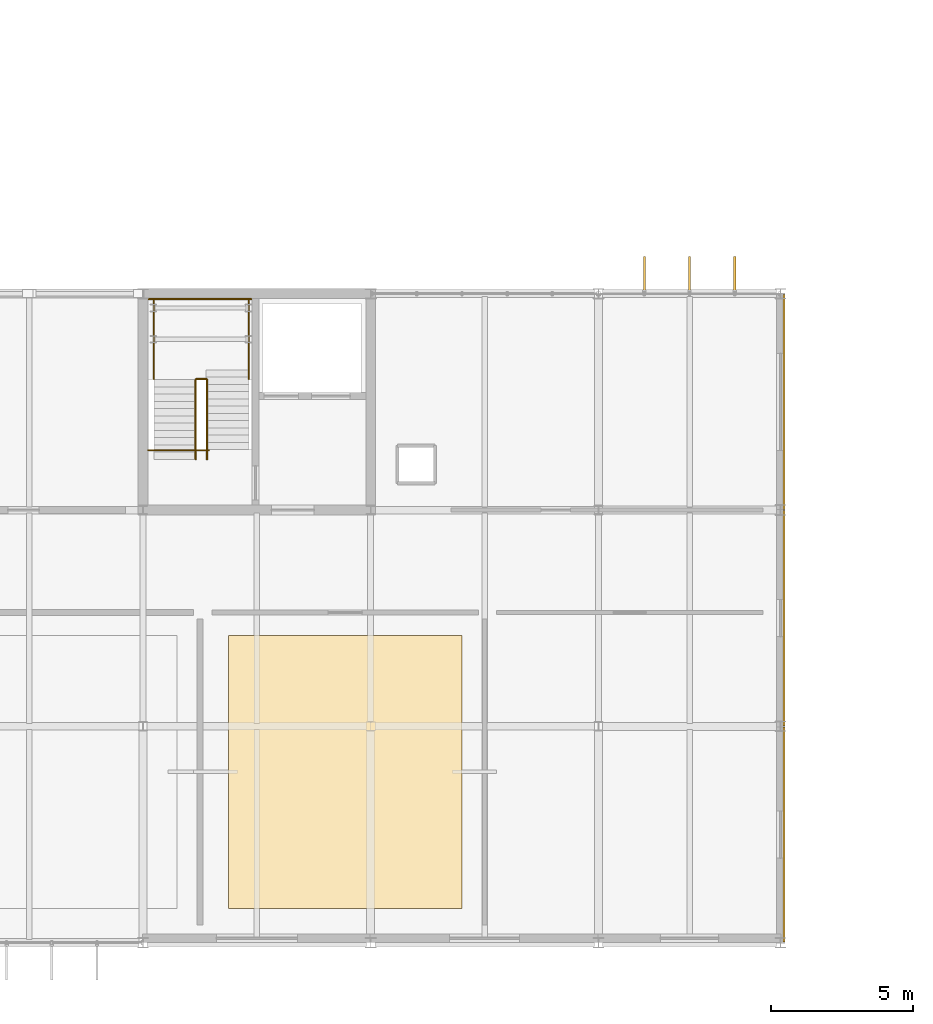
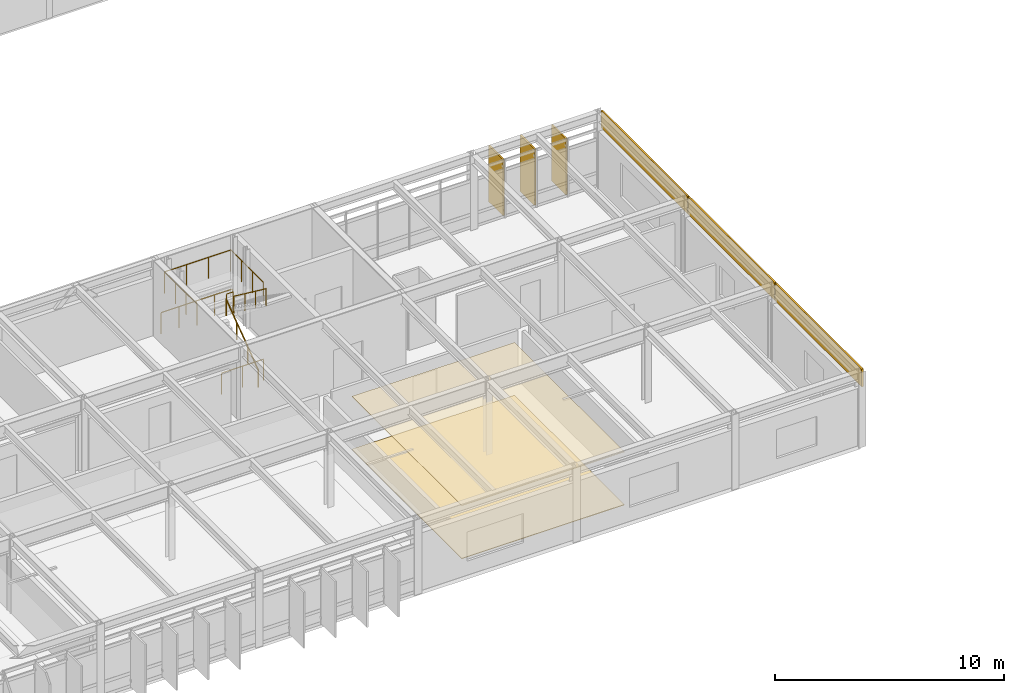
# One storey, part 31 of 33: 6 railings, 5 coverings, 3 shading devices.
"""IFC4 building model written with IfcOpenShell, lengths in metres."""

from ifc_helpers import new_model, si_unit, direction, frame, origin, origin_2d, place, context, subcontext, project, spatial, polyline, rectangle, circle, outline, extrude, material, layer, layer_set, type_object, element, save


model = new_model("IFC4")

# Units and contexts
model_context = context("Model", 3, precision=1e-05, world=origin(), true_north=direction((0.0, 1.0)))
body_context = subcontext(model_context, "Body", "Model", "MODEL_VIEW")
ifc_project = project(units=[si_unit("LENGTHUNIT", "METRE"), si_unit("AREAUNIT", "SQUARE_METRE"), si_unit("VOLUMEUNIT", "CUBIC_METRE"), si_unit("PLANEANGLEUNIT", "RADIAN"), si_unit("MASSUNIT", "GRAM", prefix="KILO")], contexts=[model_context])

# Site, building, storey
site_placement = place(None, origin())
site = spatial("IfcSite", under=ifc_project, at=site_placement, CompositionType="ELEMENT")
building_placement = place(site_placement, origin())
building = spatial("IfcBuilding", under=site, at=building_placement, Name="Zulena Civic Courthouse", CompositionType="ELEMENT")
storey_placement = place(building_placement, frame((0.0, 0.0, 33.60009765625)))
storey = spatial("IfcBuildingStorey", under=building, at=storey_placement, Name="L07", CompositionType="ELEMENT", Elevation=33.60009765625)

# Covering
ifc_material_1 = material(Name="Perforated acoustic mineral-fibre ceiling tile", Category="concrete")
ifc_layer_1 = layer(ifc_material_1, 0.02490234375)
ifc_layer_set_1 = layer_set([ifc_layer_1], Name="Perforated acoustic mineral-fibre ceiling tile")
covering_type_1 = type_object("IfcCoveringType", Name="AcousticCeiling_25", PredefinedType="CEILING", material=ifc_layer_set_1)
covering_1_placement = place(storey_placement, frame((0.0, 0.0, 2.81982421875)))
element("IfcCovering", 1, at=covering_1_placement, inside=storey, type_object=covering_type_1, Name="ceil:L07:351", PredefinedType="CEILING", context=body_context, shape_type="SweptSolid", body=[
    extrude(outline(polyline([(47.0, 1.199951171875), (55.199951171875, 1.199951171875), (55.199951171875, 10.800048828125), (47.0, 10.800048828125), (47.0, 1.199951171875)])), origin(), (0.0, 0.0, 1.0), 0.025146484375),
])

# Shading devices
ifc_material_2 = material(Name="Gold anodised architectural aluminium AA6063-T6", Category="aluminium")
shading_device_type = type_object("IfcShadingDeviceType", Name="GoldSolarFin_300", PredefinedType="USERDEFINED", material=ifc_material_2)
for number, where, z_axis, x_axis, name in (
    (2, (61.614990234375, 23.485107421875, 0.0498046875), (0.0, 0.0, 1.0), (0.0, 1.0, 0.0), "fin:V2:L07:1:6:1"),
    (3, (63.199951171875, 23.485107421875, 0.0498046875), (0.0, 0.0, 1.0), (0.0, 1.0, 0.0), "fin:V2:L07:1:6:2"),
    (4, (64.784912109375, 23.485107421875, 0.0498046875), (0.0, 0.0, 1.0), (0.0, 1.0, 0.0), "fin:V2:L07:1:6:3"),
):
    element("IfcShadingDevice", number, at=place(storey_placement, frame(where, z_axis=z_axis, x_axis=x_axis)), inside=storey, type_object=shading_device_type, Name=name, ObjectType="FIN", PredefinedType="USERDEFINED", context=body_context, shape_type="SweptSolid", body=[
        extrude(rectangle(XDim=1.25, YDim=0.080078125, at=origin_2d()), origin(), (0.0, 0.0, 1.0), 2.989990234375),
    ])

# Railings
ifc_material_3 = material(Name="Brushed architectural steel ASTM A36", Category="steel")
railing_type_1 = type_object("IfcRailingType", Name="InteriorGuardrail_1150", PredefinedType="GUARDRAIL", material=ifc_material_3)
railing_1_placement = place(storey_placement, frame((44.199951171875, 22.610107421875, 0.0)))
element("IfcRailing", 5, at=railing_1_placement, inside=storey, type_object=railing_type_1, Name="gr:wellN:K2B:L06", PredefinedType="GUARDRAIL", context=body_context, shape_type="SweptSolid", body=[
    extrude(circle(Radius=0.02392578125, at=origin_2d()), frame((0.00390625, 0.0, 1.1259765625), z_axis=(1.0, 0.0, 0.0), x_axis=(0.0, 1.0, 0.0)), (0.0, 0.0, 1.0), 3.592041015625),
    extrude(circle(Radius=0.02099609375, at=origin_2d()), origin(), (0.0, 0.0, 1.0), 1.097900390625),
    extrude(circle(Radius=0.02099609375, at=origin_2d()), frame((0.89990234375, 0.0, 0.0)), (0.0, 0.0, 1.0), 1.097900390625),
    extrude(circle(Radius=0.02099609375, at=origin_2d()), frame((1.800048828125, 0.0, 0.0)), (0.0, 0.0, 1.0), 1.097900390625),
    extrude(circle(Radius=0.02099609375, at=origin_2d()), frame((2.7001953125, 0.0, 0.0)), (0.0, 0.0, 1.0), 1.097900390625),
    extrude(circle(Radius=0.02099609375, at=origin_2d()), frame((3.60009765625, 0.0, 0.0)), (0.0, 0.0, 1.0), 1.097900390625),
])
railing_2_placement = place(storey_placement, frame((44.179931640625, 17.300048828125, 0.0)))
element("IfcRailing", 6, at=railing_2_placement, inside=storey, type_object=railing_type_1, Name="gr:wells:K2B:L07", PredefinedType="GUARDRAIL", context=body_context, shape_type="SweptSolid", body=[
    extrude(circle(Radius=0.02392578125, at=origin_2d()), frame((0.00390625, 0.0, 1.1259765625), z_axis=(1.0, 0.0, 0.0), x_axis=(0.0, 1.0, 0.0)), (0.0, 0.0, 1.0), 2.112060546875),
    extrude(circle(Radius=0.02099609375, at=origin_2d()), origin(), (0.0, 0.0, 1.0), 1.097900390625),
    extrude(circle(Radius=0.02099609375, at=origin_2d()), frame((1.06005859375, 0.0, 0.0)), (0.0, 0.0, 1.0), 1.097900390625),
    extrude(circle(Radius=0.02099609375, at=origin_2d()), frame((2.1201171875, 0.0, 0.0)), (0.0, 0.0, 1.0), 1.097900390625),
])
railing_3_placement = place(storey_placement, frame((44.3798828125, 19.78466796875, 2.099853515625)))
element("IfcRailing", 7, at=railing_3_placement, inside=storey, type_object=railing_type_1, Name="gr:lnd:K2B:L07", PredefinedType="GUARDRAIL", context=body_context, shape_type="SweptSolid", body=[
    extrude(circle(Radius=0.02392578125, at=origin_2d()), frame((0.0, 0.00390625, 1.1259765625), z_axis=(0.0, 1.0, 0.0), x_axis=(-1.0, 0.0, 0.0)), (0.0, 0.0, 1.0), 2.827392578125),
    extrude(circle(Radius=0.02392578125, at=origin_2d()), frame((0.00390625, 2.83544921875, 1.1259765625), z_axis=(1.0, 0.0, 0.0), x_axis=(0.0, 1.0, 0.0)), (0.0, 0.0, 1.0), 3.33203125),
    extrude(circle(Radius=0.02392578125, at=origin_2d()), frame((3.340087890625, 2.83154296875, 1.1259765625), z_axis=(0.0, -1.0, 0.0), x_axis=(1.0, 0.0, 0.0)), (0.0, 0.0, 1.0), 2.827392578125),
    extrude(circle(Radius=0.02099609375, at=origin_2d()), origin(), (0.0, 0.0, 1.0), 1.097900390625),
    extrude(circle(Radius=0.02099609375, at=origin_2d()), frame((0.0, 0.945068359375, 0.0)), (0.0, 0.0, 1.0), 1.097900390625),
    extrude(circle(Radius=0.02099609375, at=origin_2d()), frame((0.0, 1.890380859375, 0.0)), (0.0, 0.0, 1.0), 1.097900390625),
    extrude(circle(Radius=0.02099609375, at=origin_2d()), frame((0.0, 2.83544921875, 0.0)), (0.0, 0.0, 1.0), 1.097900390625),
    extrude(circle(Radius=0.02099609375, at=origin_2d()), frame((1.11328125, 2.83544921875, 0.0)), (0.0, 0.0, 1.0), 1.097900390625),
    extrude(circle(Radius=0.02099609375, at=origin_2d()), frame((2.226806640625, 2.83544921875, 0.0)), (0.0, 0.0, 1.0), 1.097900390625),
    extrude(circle(Radius=0.02099609375, at=origin_2d()), frame((3.340087890625, 2.83544921875, 0.0)), (0.0, 0.0, 1.0), 1.097900390625),
    extrude(circle(Radius=0.02099609375, at=origin_2d()), frame((3.340087890625, 1.890380859375, 0.0)), (0.0, 0.0, 1.0), 1.097900390625),
    extrude(circle(Radius=0.02099609375, at=origin_2d()), frame((3.340087890625, 0.945068359375, 0.0)), (0.0, 0.0, 1.0), 1.097900390625),
    extrude(circle(Radius=0.02099609375, at=origin_2d()), frame((3.340087890625, 0.0, 0.0)), (0.0, 0.0, 1.0), 1.097900390625),
])
railing_4_placement = place(storey_placement, frame((45.8798828125, 19.804931640625, 2.099853515625)))
element("IfcRailing", 8, at=railing_4_placement, inside=storey, type_object=railing_type_1, Name="gr:lndslot:K2B:L07", PredefinedType="GUARDRAIL", context=body_context, shape_type="SweptSolid", body=[
    extrude(circle(Radius=0.02392578125, at=origin_2d()), frame((0.00390625, 0.0, 1.1259765625), z_axis=(1.0, 0.0, 0.0), x_axis=(0.0, 1.0, 0.0)), (0.0, 0.0, 1.0), 0.33203125),
    extrude(circle(Radius=0.02099609375, at=origin_2d()), origin(), (0.0, 0.0, 1.0), 1.097900390625),
    extrude(circle(Radius=0.02099609375, at=origin_2d()), frame((0.340087890625, 0.0, 0.0)), (0.0, 0.0, 1.0), 1.097900390625),
])

# Coverings
ifc_material_4 = material(Name="White architectural precast concrete C40/50", Category="concrete")
ifc_layer_2 = layer(ifc_material_4, 0.0849609375)
ifc_layer_set_2 = layer_set([ifc_layer_2], Name="White architectural precast concrete C40/50")
covering_type_2 = type_object("IfcCoveringType", Name="PrecastSpandrelCladding_85", PredefinedType="CLADDING", material=ifc_layer_set_2)
for number, where, z_axis, x_axis, name in (
    (9, (66.52001953125, 19.0, 3.059814453125), (0.0, 0.0, 1.0), (0.0, -1.0, 0.0), "clad:sp:V2:L07:2:0"),
    (10, (66.52001953125, 11.39990234375, 3.059814453125), (0.0, 0.0, 1.0), (0.0, -1.0, 0.0), "clad:sp:V2:L07:2:1"),
    (11, (66.52001953125, 3.800048828125, 3.059814453125), (0.0, 0.0, 1.0), (0.0, -1.0, 0.0), "clad:sp:V2:L07:2:2"),
):
    element("IfcCovering", number, at=place(storey_placement, frame(where, z_axis=z_axis, x_axis=x_axis)), inside=storey, type_object=covering_type_2, Name=name, PredefinedType="CLADDING", context=body_context, shape_type="SweptSolid", body=[
        extrude(rectangle(XDim=7.56005859375, YDim=0.0849609375, at=origin_2d()), origin(), (0.0, 0.0, 1.0), 0.93994140625),
    ])

# Railings
railing_type_2 = type_object("IfcRailingType", Name="StairHandrail_920", PredefinedType="HANDRAIL", material=ifc_material_3)
railing_5_placement = place(storey_placement, frame((45.85009765625, 16.97998046875, 0.0)))
element("IfcRailing", 12, at=railing_5_placement, inside=storey, type_object=railing_type_2, Name="hr:K2B:L07:1", PredefinedType="HANDRAIL", context=body_context, shape_type="SweptSolid", body=[
    extrude(circle(Radius=0.02392578125, at=origin_2d()), frame((0.0, 0.003173828125, 0.898193359375), z_axis=(0.0, 0.800501427345, 0.599330847545), x_axis=(-1.0, 0.0, 0.0)), (0.0, 0.0, 1.0), 3.49560546875),
    extrude(circle(Radius=0.02099609375, at=origin_2d()), origin(), (0.0, 0.0, 1.0), 0.867919921875),
    extrude(circle(Radius=0.02099609375, at=origin_2d()), frame((0.0, 0.934814453125, 0.699951171875)), (0.0, 0.0, 1.0), 0.867919921875),
    extrude(circle(Radius=0.02099609375, at=origin_2d()), frame((0.0, 1.869873046875, 1.39990234375)), (0.0, 0.0, 1.0), 0.867919921875),
    extrude(circle(Radius=0.02099609375, at=origin_2d()), frame((0.0, 2.8046875, 2.099853515625)), (0.0, 0.0, 1.0), 0.867919921875),
])
railing_6_placement = place(storey_placement, frame((46.25, 19.78466796875, 2.099853515625)))
element("IfcRailing", 13, at=railing_6_placement, inside=storey, type_object=railing_type_2, Name="hr:K2B:L07:2", PredefinedType="HANDRAIL", context=body_context, shape_type="SweptSolid", body=[
    extrude(circle(Radius=0.02392578125, at=origin_2d()), frame((0.0, -0.003173828125, 0.898193359375), z_axis=(0.0, -0.800467996722, 0.599375496849), x_axis=(1.0, 0.0, 0.0)), (0.0, 0.0, 1.0), 3.495849609375),
    extrude(circle(Radius=0.02099609375, at=origin_2d()), origin(), (0.0, 0.0, 1.0), 0.867919921875),
    extrude(circle(Radius=0.02099609375, at=origin_2d()), frame((0.0, -0.934814453125, 0.699951171875)), (0.0, 0.0, 1.0), 0.867919921875),
    extrude(circle(Radius=0.02099609375, at=origin_2d()), frame((0.0, -1.869873046875, 1.400146484375)), (0.0, 0.0, 1.0), 0.867919921875),
    extrude(circle(Radius=0.02099609375, at=origin_2d()), frame((0.0, -2.8046875, 2.10009765625)), (0.0, 0.0, 1.0), 0.867919921875),
])

# Covering
ifc_material_5 = material(Name="Honed travertine stone flooring", Category="masonry")
ifc_layer_3 = layer(ifc_material_5, 0.030029296875)
ifc_layer_set_3 = layer_set([ifc_layer_3], Name="Honed travertine stone flooring")
covering_type_3 = type_object("IfcCoveringType", Name="TravertineFlooring_30", PredefinedType="FLOORING", material=ifc_layer_set_3)
covering_2_placement = place(storey_placement, origin())
element("IfcCovering", 14, at=covering_2_placement, inside=storey, type_object=covering_type_3, Name="floor:L07:351", PredefinedType="FLOORING", context=body_context, shape_type="SweptSolid", body=[
    extrude(outline(polyline([(47.0, 1.199951171875), (55.199951171875, 1.199951171875), (55.199951171875, 10.800048828125), (47.0, 10.800048828125), (47.0, 1.199951171875)])), origin(), (0.0, 0.0, 1.0), 0.02978515625),
])

save(model, "model.ifc")
